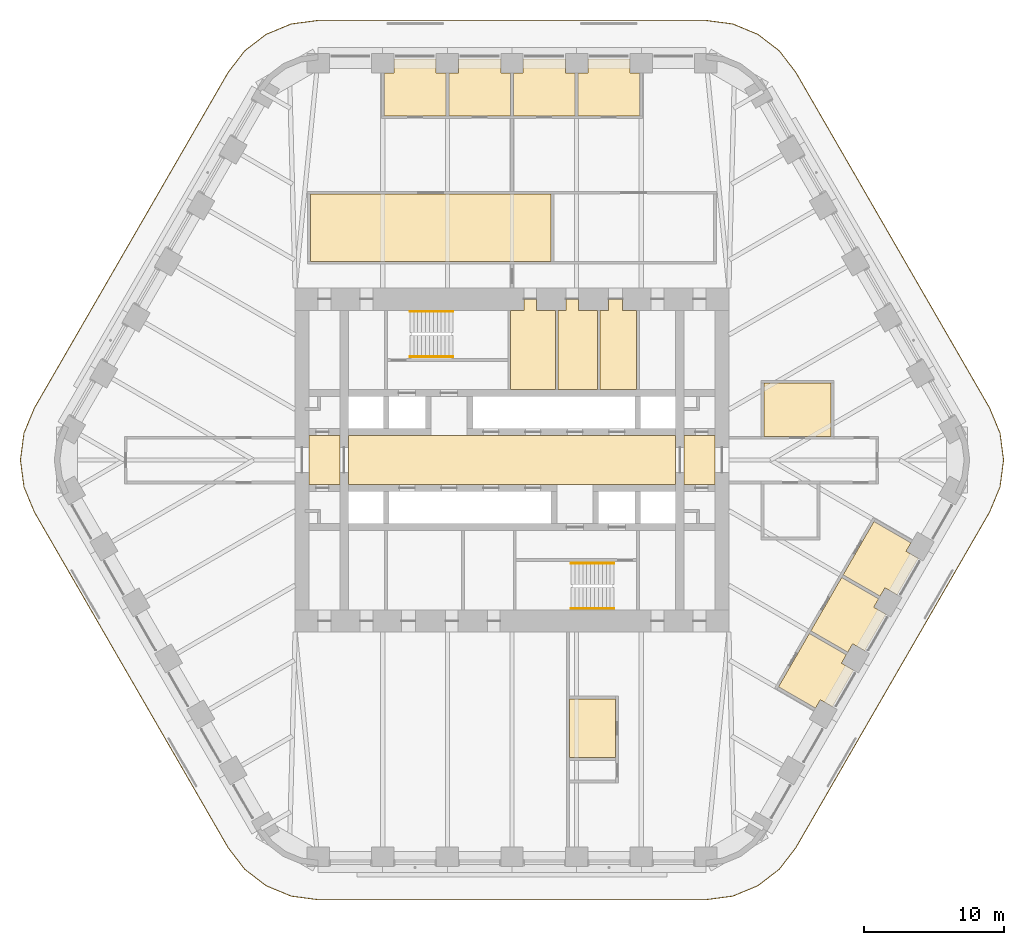
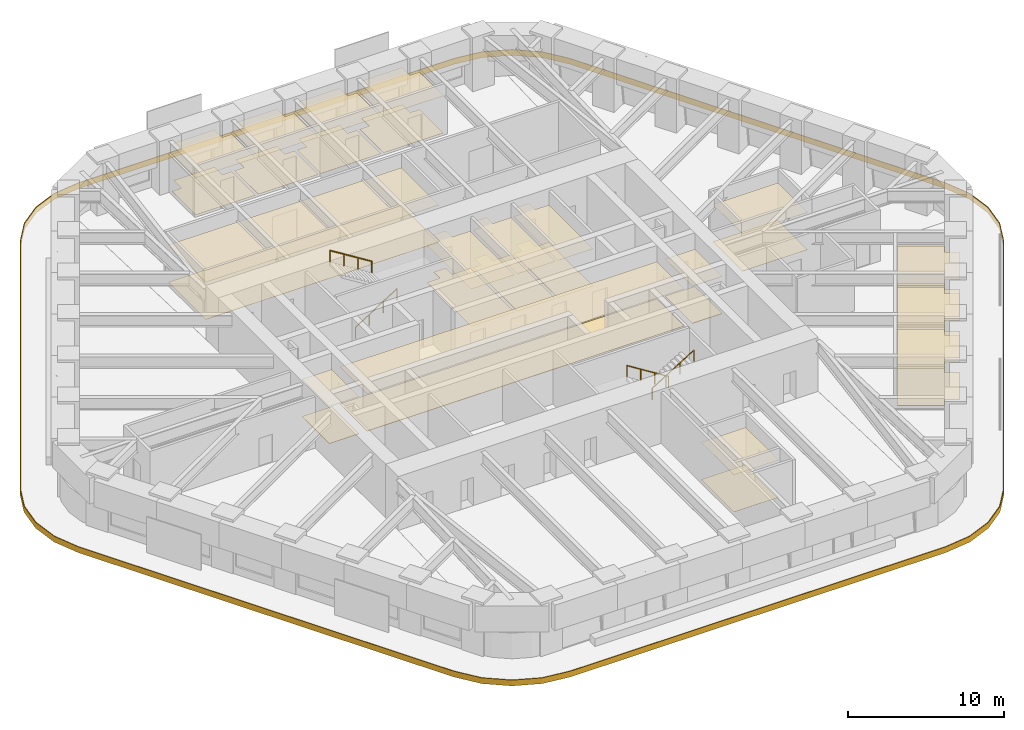
# One storey, part 19 of 20: 15 coverings, 4 railings.
"""IFC4 building model written with IfcOpenShell, lengths in metres."""

from ifc_helpers import new_model, si_unit, direction, frame, origin, origin_2d, place, context, subcontext, project, spatial, polyline, circle, outline, extrude, material, layer, layer_set, type_object, element, save


model = new_model("IFC4")

# Units and contexts
model_context = context("Model", 3, precision=1e-05, world=origin(), true_north=direction((0.0, 1.0)))
body_context = subcontext(model_context, "Body", "Model", "MODEL_VIEW")
ifc_project = project(units=[si_unit("LENGTHUNIT", "METRE"), si_unit("AREAUNIT", "SQUARE_METRE"), si_unit("VOLUMEUNIT", "CUBIC_METRE"), si_unit("PLANEANGLEUNIT", "RADIAN"), si_unit("MASSUNIT", "GRAM", prefix="KILO")], contexts=[model_context])

# Site, building, storey
site_placement = place(None, origin())
site = spatial("IfcSite", under=ifc_project, at=site_placement, CompositionType="ELEMENT")
building_placement = place(site_placement, origin())
building = spatial("IfcBuilding", under=site, at=building_placement, Name="Tarfa Lantern Tower", CompositionType="ELEMENT")
storey_placement = place(building_placement, frame((0.0, 0.0, 223.89990234375)))
storey = spatial("IfcBuildingStorey", under=building, at=storey_placement, Name="L50", CompositionType="ELEMENT", Elevation=223.89990234375)

# Coverings
ifc_material_1 = material(Name="Mineral fibre acoustic tile on suspension grid", Category="finish")
ifc_layer_1 = layer(ifc_material_1, 0.02001953125)
ifc_layer_set_1 = layer_set([ifc_layer_1], Name="CL1 ACOUSTIC TILE CEILING 20")
covering_type_1 = type_object("IfcCoveringType", Name="CL1 ACOUSTIC TILE CEILING 20", PredefinedType="CEILING", material=ifc_layer_set_1)
covering_1_placement = place(storey_placement, frame((0.0, 0.0, 2.900146484375)))
element("IfcCovering", 1, at=covering_1_placement, inside=storey, type_object=covering_type_1, Name="Ceiling L50 CL1", PredefinedType="CEILING", context=body_context, shape_type="SweptSolid", body=[
    extrude(outline(polyline([(-14.39990234375, 19.0), (2.800048828125, 19.0), (2.800048828125, 14.199951171875), (-14.39990234375, 14.199951171875), (-14.39990234375, 19.0)])), origin(), (0.0, 0.0, 1.0), 0.02001953125),
    extrude(outline(polyline([(9.1376953125, 24.60009765625), (4.71875, 24.60009765625), (4.71875, 27.64990234375), (5.418701171875, 27.64990234375), (5.418701171875, 28.64990234375), (8.4375, 28.64990234375), (8.4375, 27.64990234375), (9.1376953125, 27.64990234375), (9.1376953125, 24.60009765625)])), origin(), (0.0, 0.0, 1.0), 0.02001953125),
    extrude(outline(polyline([(4.518798828125, 24.60009765625), (0.10009765625, 24.60009765625), (0.10009765625, 27.64990234375), (0.800048828125, 27.64990234375), (0.800048828125, 28.64990234375), (3.81884765625, 28.64990234375), (3.81884765625, 27.64990234375), (4.518798828125, 27.64990234375), (4.518798828125, 24.60009765625)])), origin(), (0.0, 0.0, 1.0), 0.02001953125),
    extrude(outline(polyline([(-0.10009765625, 24.60009765625), (-4.518798828125, 24.60009765625), (-4.518798828125, 27.64990234375), (-3.81884765625, 27.64990234375), (-3.81884765625, 28.64990234375), (-0.800048828125, 28.64990234375), (-0.800048828125, 27.64990234375), (-0.10009765625, 27.64990234375), (-0.10009765625, 24.60009765625)])), origin(), (0.0, 0.0, 1.0), 0.02001953125),
    extrude(outline(polyline([(-4.71875, 24.60009765625), (-9.1376953125, 24.60009765625), (-9.1376953125, 27.64990234375), (-8.4375, 27.64990234375), (-8.4375, 28.64990234375), (-5.418701171875, 28.64990234375), (-5.418701171875, 27.64990234375), (-4.71875, 27.64990234375), (-4.71875, 24.60009765625)])), origin(), (0.0, 0.0, 1.0), 0.02001953125),
    extrude(outline(polyline([(21.254150390625, -12.38671875), (23.8955078125, -13.91162109375), (23.545654296875, -14.517822265625), (24.41162109375, -15.017822265625), (22.90234375, -17.632080078125), (22.0361328125, -17.132080078125), (21.686279296875, -17.73828125), (19.044921875, -16.21337890625), (21.254150390625, -12.38671875)])), origin(), (0.0, 0.0, 1.0), 0.02001953125),
    extrude(outline(polyline([(23.563720703125, -8.38671875), (26.205078125, -9.91162109375), (25.85498046875, -10.517822265625), (26.720947265625, -11.017822265625), (25.211669921875, -13.632080078125), (24.345703125, -13.132080078125), (23.99560546875, -13.73828125), (21.354248046875, -12.21337890625), (23.563720703125, -8.38671875)])), origin(), (0.0, 0.0, 1.0), 0.02001953125),
    extrude(outline(polyline([(25.873046875, -4.38671875), (28.514404296875, -5.91162109375), (28.164306640625, -6.517822265625), (29.030517578125, -7.017822265625), (27.52099609375, -9.632080078125), (26.655029296875, -9.132080078125), (26.304931640625, -9.73828125), (23.66357421875, -8.21337890625), (25.873046875, -4.38671875)])), origin(), (0.0, 0.0, 1.0), 0.02001953125),
    extrude(outline(polyline([(18.0, 5.5), (22.800048828125, 5.5), (22.800048828125, 1.699951171875), (18.0, 1.699951171875), (18.0, 5.5)])), origin(), (0.0, 0.0, 1.0), 0.02001953125),
    extrude(outline(polyline([(7.39990234375, -21.27490234375), (4.10009765625, -21.27490234375), (4.10009765625, -17.074951171875), (7.39990234375, -17.074951171875), (7.39990234375, -21.27490234375)])), origin(), (0.0, 0.0, 1.0), 0.02001953125),
])
ifc_material_2 = material(Name="Moisture-resistant plasterboard", Category="finish")
ifc_layer_2 = layer(ifc_material_2, 0.014892578125)
ifc_layer_set_2 = layer_set([ifc_layer_2], Name="CL2 MOISTURE-RESISTANT PLASTERBOARD CEILING 15")
covering_type_2 = type_object("IfcCoveringType", Name="CL2 MOISTURE-RESISTANT PLASTERBOARD CEILING 15", PredefinedType="CEILING", material=ifc_layer_set_2)
covering_2_placement = place(storey_placement, frame((0.0, 0.0, 2.900146484375)))
element("IfcCovering", 2, at=covering_2_placement, inside=storey, type_object=covering_type_2, Name="Ceiling L50-07", PredefinedType="CEILING", context=body_context, shape_type="SweptSolid", body=[
    extrude(outline(polyline([(0.85009765625, 10.699951171875), (-0.10009765625, 10.699951171875), (-0.10009765625, 5.050048828125), (3.10009765625, 5.050048828125), (3.10009765625, 10.699951171875), (1.75, 10.699951171875), (1.75, 11.5), (0.85009765625, 11.5), (0.85009765625, 10.699951171875)])), origin(), (0.0, 0.0, 1.0), 0.014892578125),
])
covering_3_placement = place(storey_placement, frame((0.0, 0.0, 2.900146484375)))
element("IfcCovering", 3, at=covering_3_placement, inside=storey, type_object=covering_type_2, Name="Ceiling L50-08", PredefinedType="CEILING", context=body_context, shape_type="SweptSolid", body=[
    extrude(outline(polyline([(3.300048828125, 5.050048828125), (6.10009765625, 5.050048828125), (6.10009765625, 10.699951171875), (4.75, 10.699951171875), (4.75, 11.5), (3.85009765625, 11.5), (3.85009765625, 10.699951171875), (3.300048828125, 10.699951171875), (3.300048828125, 5.050048828125)])), origin(), (0.0, 0.0, 1.0), 0.014892578125),
])
covering_4_placement = place(storey_placement, frame((0.0, 0.0, 2.900146484375)))
element("IfcCovering", 4, at=covering_4_placement, inside=storey, type_object=covering_type_2, Name="Ceiling L50-09", PredefinedType="CEILING", context=body_context, shape_type="SweptSolid", body=[
    extrude(outline(polyline([(6.300048828125, 5.050048828125), (8.89990234375, 5.050048828125), (8.89990234375, 10.699951171875), (7.89990234375, 10.699951171875), (7.89990234375, 11.5), (6.89990234375, 11.5), (6.89990234375, 10.699951171875), (6.300048828125, 10.699951171875), (6.300048828125, 5.050048828125)])), origin(), (0.0, 0.0, 1.0), 0.014892578125),
])
ifc_material_3 = material(Name="Powder-coated aluminium panel", Category="aluminium")
ifc_layer_3 = layer(ifc_material_3, 0.030029296875)
ifc_layer_set_3 = layer_set([ifc_layer_3], Name="CL3 METAL PANEL CEILING 30")
covering_type_3 = type_object("IfcCoveringType", Name="CL3 METAL PANEL CEILING 30", PredefinedType="CEILING", material=ifc_layer_set_3)
covering_5_placement = place(storey_placement, frame((0.0, 0.0, 2.900146484375)))
element("IfcCovering", 5, at=covering_5_placement, inside=storey, type_object=covering_type_3, Name="Ceiling L50-01", PredefinedType="CEILING", context=body_context, shape_type="SweptSolid", body=[
    extrude(outline(polyline([(-14.5, -1.75), (-12.300048828125, -1.75), (-12.300048828125, 1.75), (-14.5, 1.75), (-14.5, -1.75)])), origin(), (0.0, 0.0, 1.0), 0.030029296875),
])
covering_6_placement = place(storey_placement, frame((0.0, 0.0, 2.900146484375)))
element("IfcCovering", 6, at=covering_6_placement, inside=storey, type_object=covering_type_3, Name="Ceiling L50-02", PredefinedType="CEILING", context=body_context, shape_type="SweptSolid", body=[
    extrude(outline(polyline([(-11.699951171875, -1.75), (11.699951171875, -1.75), (11.699951171875, 1.75), (-11.699951171875, 1.75), (-11.699951171875, -1.75)])), origin(), (0.0, 0.0, 1.0), 0.030029296875),
])
covering_7_placement = place(storey_placement, frame((0.0, 0.0, 2.900146484375)))
element("IfcCovering", 7, at=covering_7_placement, inside=storey, type_object=covering_type_3, Name="Ceiling L50-03", PredefinedType="CEILING", context=body_context, shape_type="SweptSolid", body=[
    extrude(outline(polyline([(12.300048828125, -1.75), (14.5, -1.75), (14.5, 1.75), (12.300048828125, 1.75), (12.300048828125, -1.75)])), origin(), (0.0, 0.0, 1.0), 0.030029296875),
])
ifc_material_4 = material(Name="Nylon carpet tile", Category="finish")
ifc_layer_4 = layer(ifc_material_4, 0.010009765625)
ifc_layer_set_4 = layer_set([ifc_layer_4], Name="FL1 CARPET TILE 10")
covering_type_4 = type_object("IfcCoveringType", Name="FL1 CARPET TILE 10", PredefinedType="FLOORING", material=ifc_layer_set_4)
covering_8_placement = place(storey_placement, origin())
element("IfcCovering", 8, at=covering_8_placement, inside=storey, type_object=covering_type_4, Name="Floor finish L50 FL1", PredefinedType="FLOORING", context=body_context, shape_type="SweptSolid", body=[
    extrude(outline(polyline([(-14.39990234375, 19.0), (2.800048828125, 19.0), (2.800048828125, 14.199951171875), (-14.39990234375, 14.199951171875), (-14.39990234375, 19.0)])), origin(), (0.0, 0.0, 1.0), 0.010009765625),
    extrude(outline(polyline([(9.1376953125, 24.60009765625), (4.71875, 24.60009765625), (4.71875, 27.64990234375), (5.418701171875, 27.64990234375), (5.418701171875, 28.64990234375), (8.4375, 28.64990234375), (8.4375, 27.64990234375), (9.1376953125, 27.64990234375), (9.1376953125, 24.60009765625)])), origin(), (0.0, 0.0, 1.0), 0.010009765625),
    extrude(outline(polyline([(4.518798828125, 24.60009765625), (0.10009765625, 24.60009765625), (0.10009765625, 27.64990234375), (0.800048828125, 27.64990234375), (0.800048828125, 28.64990234375), (3.81884765625, 28.64990234375), (3.81884765625, 27.64990234375), (4.518798828125, 27.64990234375), (4.518798828125, 24.60009765625)])), origin(), (0.0, 0.0, 1.0), 0.010009765625),
    extrude(outline(polyline([(-0.10009765625, 24.60009765625), (-4.518798828125, 24.60009765625), (-4.518798828125, 27.64990234375), (-3.81884765625, 27.64990234375), (-3.81884765625, 28.64990234375), (-0.800048828125, 28.64990234375), (-0.800048828125, 27.64990234375), (-0.10009765625, 27.64990234375), (-0.10009765625, 24.60009765625)])), origin(), (0.0, 0.0, 1.0), 0.010009765625),
    extrude(outline(polyline([(-4.71875, 24.60009765625), (-9.1376953125, 24.60009765625), (-9.1376953125, 27.64990234375), (-8.4375, 27.64990234375), (-8.4375, 28.64990234375), (-5.418701171875, 28.64990234375), (-5.418701171875, 27.64990234375), (-4.71875, 27.64990234375), (-4.71875, 24.60009765625)])), origin(), (0.0, 0.0, 1.0), 0.010009765625),
    extrude(outline(polyline([(21.254150390625, -12.38671875), (23.8955078125, -13.91162109375), (23.545654296875, -14.517822265625), (24.41162109375, -15.017822265625), (22.90234375, -17.632080078125), (22.0361328125, -17.132080078125), (21.686279296875, -17.73828125), (19.044921875, -16.21337890625), (21.254150390625, -12.38671875)])), origin(), (0.0, 0.0, 1.0), 0.010009765625),
    extrude(outline(polyline([(23.563720703125, -8.38671875), (26.205078125, -9.91162109375), (25.85498046875, -10.517822265625), (26.720947265625, -11.017822265625), (25.211669921875, -13.632080078125), (24.345703125, -13.132080078125), (23.99560546875, -13.73828125), (21.354248046875, -12.21337890625), (23.563720703125, -8.38671875)])), origin(), (0.0, 0.0, 1.0), 0.010009765625),
    extrude(outline(polyline([(25.873046875, -4.38671875), (28.514404296875, -5.91162109375), (28.164306640625, -6.517822265625), (29.030517578125, -7.017822265625), (27.52099609375, -9.632080078125), (26.655029296875, -9.132080078125), (26.304931640625, -9.73828125), (23.66357421875, -8.21337890625), (25.873046875, -4.38671875)])), origin(), (0.0, 0.0, 1.0), 0.010009765625),
    extrude(outline(polyline([(18.0, 5.5), (22.800048828125, 5.5), (22.800048828125, 1.699951171875), (18.0, 1.699951171875), (18.0, 5.5)])), origin(), (0.0, 0.0, 1.0), 0.010009765625),
    extrude(outline(polyline([(7.39990234375, -21.27490234375), (4.10009765625, -21.27490234375), (4.10009765625, -17.074951171875), (7.39990234375, -17.074951171875), (7.39990234375, -21.27490234375)])), origin(), (0.0, 0.0, 1.0), 0.010009765625),
])
ifc_material_5 = material(Name="Honed limestone flooring", Category="masonry")
ifc_layer_5 = layer(ifc_material_5, 0.030029296875)
ifc_layer_set_5 = layer_set([ifc_layer_5], Name="FL2 STONE FLOORING 30")
covering_type_5 = type_object("IfcCoveringType", Name="FL2 STONE FLOORING 30", PredefinedType="FLOORING", material=ifc_layer_set_5)
covering_9_placement = place(storey_placement, origin())
element("IfcCovering", 9, at=covering_9_placement, inside=storey, type_object=covering_type_5, Name="Floor finish L50-01", PredefinedType="FLOORING", context=body_context, shape_type="SweptSolid", body=[
    extrude(outline(polyline([(-14.5, -1.75), (-12.300048828125, -1.75), (-12.300048828125, 1.75), (-14.5, 1.75), (-14.5, -1.75)])), origin(), (0.0, 0.0, 1.0), 0.030029296875),
])
covering_10_placement = place(storey_placement, origin())
element("IfcCovering", 10, at=covering_10_placement, inside=storey, type_object=covering_type_5, Name="Floor finish L50-02", PredefinedType="FLOORING", context=body_context, shape_type="SweptSolid", body=[
    extrude(outline(polyline([(-11.699951171875, -1.75), (11.699951171875, -1.75), (11.699951171875, 1.75), (-11.699951171875, 1.75), (-11.699951171875, -1.75)])), origin(), (0.0, 0.0, 1.0), 0.030029296875),
])
covering_11_placement = place(storey_placement, origin())
element("IfcCovering", 11, at=covering_11_placement, inside=storey, type_object=covering_type_5, Name="Floor finish L50-03", PredefinedType="FLOORING", context=body_context, shape_type="SweptSolid", body=[
    extrude(outline(polyline([(12.300048828125, -1.75), (14.5, -1.75), (14.5, 1.75), (12.300048828125, 1.75), (12.300048828125, -1.75)])), origin(), (0.0, 0.0, 1.0), 0.030029296875),
])
ifc_material_6 = material(Name="Porcelain floor tile", Category="finish")
ifc_layer_6 = layer(ifc_material_6, 0.011962890625)
ifc_layer_set_6 = layer_set([ifc_layer_6], Name="FL3 CERAMIC TILE 12")
covering_type_6 = type_object("IfcCoveringType", Name="FL3 CERAMIC TILE 12", PredefinedType="FLOORING", material=ifc_layer_set_6)
covering_12_placement = place(storey_placement, origin())
element("IfcCovering", 12, at=covering_12_placement, inside=storey, type_object=covering_type_6, Name="Floor finish L50-07", PredefinedType="FLOORING", context=body_context, shape_type="SweptSolid", body=[
    extrude(outline(polyline([(0.85009765625, 10.699951171875), (-0.10009765625, 10.699951171875), (-0.10009765625, 5.050048828125), (3.10009765625, 5.050048828125), (3.10009765625, 10.699951171875), (1.75, 10.699951171875), (1.75, 11.5), (0.85009765625, 11.5), (0.85009765625, 10.699951171875)])), origin(), (0.0, 0.0, 1.0), 0.01220703125),
])
covering_13_placement = place(storey_placement, origin())
element("IfcCovering", 13, at=covering_13_placement, inside=storey, type_object=covering_type_6, Name="Floor finish L50-08", PredefinedType="FLOORING", context=body_context, shape_type="SweptSolid", body=[
    extrude(outline(polyline([(3.300048828125, 5.050048828125), (6.10009765625, 5.050048828125), (6.10009765625, 10.699951171875), (4.75, 10.699951171875), (4.75, 11.5), (3.85009765625, 11.5), (3.85009765625, 10.699951171875), (3.300048828125, 10.699951171875), (3.300048828125, 5.050048828125)])), origin(), (0.0, 0.0, 1.0), 0.01220703125),
])
covering_14_placement = place(storey_placement, origin())
element("IfcCovering", 14, at=covering_14_placement, inside=storey, type_object=covering_type_6, Name="Floor finish L50-09", PredefinedType="FLOORING", context=body_context, shape_type="SweptSolid", body=[
    extrude(outline(polyline([(6.300048828125, 5.050048828125), (8.89990234375, 5.050048828125), (8.89990234375, 10.699951171875), (7.89990234375, 10.699951171875), (7.89990234375, 11.5), (6.89990234375, 11.5), (6.89990234375, 10.699951171875), (6.300048828125, 10.699951171875), (6.300048828125, 5.050048828125)])), origin(), (0.0, 0.0, 1.0), 0.01220703125),
])

# Railings
ifc_material_7 = material(Name="Stainless steel", Category="steel")
railing_type = type_object("IfcRailingType", Name="HR1 HANDRAIL 900", PredefinedType="HANDRAIL", material=ifc_material_7)
railing_1_placement = place(storey_placement, frame((-7.300048828125, 7.3798828125, 0.175048828125)))
element("IfcRailing", 15, at=railing_1_placement, inside=storey, type_object=railing_type, Name="Handrail 1", PredefinedType="HANDRAIL", context=body_context, shape_type="SweptSolid", body=[
    extrude(circle(Radius=0.02392578125, at=origin_2d()), frame((0.0, 0.0, 0.8759765625), z_axis=(0.847998304005, 0.0, 0.529998940003), x_axis=(0.0, 1.0, 0.0)), (0.0, 0.0, 1.0), 3.632080078125),
    extrude(circle(Radius=0.02099609375, at=origin_2d()), frame((0.0, 0.0, 0.0), z_axis=(0.0, 0.0, 1.0), x_axis=(0.0, 1.0, 0.0)), (0.0, 0.0, 1.0), 0.851806640625),
    extrude(circle(Radius=0.02099609375, at=origin_2d()), frame((1.026611328125, 0.0, 0.6416015625), z_axis=(0.0, 0.0, 1.0), x_axis=(0.0, 1.0, 0.0)), (0.0, 0.0, 1.0), 0.851806640625),
    extrude(circle(Radius=0.02099609375, at=origin_2d()), frame((2.053466796875, 0.0, 1.283447265625), z_axis=(0.0, 0.0, 1.0), x_axis=(0.0, 1.0, 0.0)), (0.0, 0.0, 1.0), 0.851806640625),
    extrude(circle(Radius=0.02099609375, at=origin_2d()), frame((3.080078125, 0.0, 1.925048828125), z_axis=(0.0, 0.0, 1.0), x_axis=(0.0, 1.0, 0.0)), (0.0, 0.0, 1.0), 0.851806640625),
])
for number, where, name in (
    (16, (-4.219970703125, 10.6201171875, 2.275146484375), "Handrail 2"),
    (17, (7.300048828125, -7.3798828125, 0.175048828125), "Handrail 1"),
):
    element("IfcRailing", number, at=place(storey_placement, frame(where)), inside=storey, type_object=railing_type, Name=name, PredefinedType="HANDRAIL", context=body_context, shape_type="SweptSolid", body=[
        extrude(circle(Radius=0.02392578125, at=origin_2d()), frame((0.0, 0.0, 0.8759765625), z_axis=(-0.847998304005, 0.0, 0.529998940003), x_axis=(0.0, -1.0, 0.0)), (0.0, 0.0, 1.0), 3.632080078125),
        extrude(circle(Radius=0.02099609375, at=origin_2d()), frame((0.0, 0.0, 0.0), z_axis=(0.0, 0.0, 1.0), x_axis=(0.0, -1.0, 0.0)), (0.0, 0.0, 1.0), 0.851806640625),
        extrude(circle(Radius=0.02099609375, at=origin_2d()), frame((-1.026611328125, 0.0, 0.6416015625), z_axis=(0.0, 0.0, 1.0), x_axis=(0.0, -1.0, 0.0)), (0.0, 0.0, 1.0), 0.851806640625),
        extrude(circle(Radius=0.02099609375, at=origin_2d()), frame((-2.053466796875, 0.0, 1.283447265625), z_axis=(0.0, 0.0, 1.0), x_axis=(0.0, -1.0, 0.0)), (0.0, 0.0, 1.0), 0.851806640625),
        extrude(circle(Radius=0.02099609375, at=origin_2d()), frame((-3.080078125, 0.0, 1.925048828125), z_axis=(0.0, 0.0, 1.0), x_axis=(0.0, -1.0, 0.0)), (0.0, 0.0, 1.0), 0.851806640625),
    ])
railing_2_placement = place(storey_placement, frame((4.219970703125, -10.6201171875, 2.275146484375)))
element("IfcRailing", 18, at=railing_2_placement, inside=storey, type_object=railing_type, Name="Handrail 2", PredefinedType="HANDRAIL", context=body_context, shape_type="SweptSolid", body=[
    extrude(circle(Radius=0.02392578125, at=origin_2d()), frame((0.0, 0.0, 0.8759765625), z_axis=(0.847998304005, 0.0, 0.529998940003), x_axis=(0.0, 1.0, 0.0)), (0.0, 0.0, 1.0), 3.632080078125),
    extrude(circle(Radius=0.02099609375, at=origin_2d()), frame((0.0, 0.0, 0.0), z_axis=(0.0, 0.0, 1.0), x_axis=(0.0, 1.0, 0.0)), (0.0, 0.0, 1.0), 0.851806640625),
    extrude(circle(Radius=0.02099609375, at=origin_2d()), frame((1.026611328125, 0.0, 0.6416015625), z_axis=(0.0, 0.0, 1.0), x_axis=(0.0, 1.0, 0.0)), (0.0, 0.0, 1.0), 0.851806640625),
    extrude(circle(Radius=0.02099609375, at=origin_2d()), frame((2.053466796875, 0.0, 1.283447265625), z_axis=(0.0, 0.0, 1.0), x_axis=(0.0, 1.0, 0.0)), (0.0, 0.0, 1.0), 0.851806640625),
    extrude(circle(Radius=0.02099609375, at=origin_2d()), frame((3.080078125, 0.0, 1.925048828125), z_axis=(0.0, 0.0, 1.0), x_axis=(0.0, 1.0, 0.0)), (0.0, 0.0, 1.0), 0.851806640625),
])

# Covering
ifc_material_8 = material(Name="Limestone cladding on brackets", Category="masonry")
ifc_layer_7 = layer(ifc_material_8, 0.050048828125)
ifc_layer_set_7 = layer_set([ifc_layer_7], Name="SB1 STONE BAND CLADDING 50")
covering_type_7 = type_object("IfcCoveringType", Name="SB1 STONE BAND CLADDING 50", PredefinedType="CLADDING", material=ifc_layer_set_7)
covering_15_placement = place(storey_placement, frame((0.0, 0.0, -0.39990234375)))
element("IfcCovering", 19, at=covering_15_placement, inside=storey, type_object=covering_type_7, Name="Stone band", PredefinedType="CLADDING", context=body_context, shape_type="SweptSolid", body=[
    extrude(outline(polyline([(34.164794921875, 3.72509765625), (20.308349609375, 27.72509765625), (19.124267578125, 29.26806640625), (17.581298828125, 30.451904296875), (15.78466796875, 31.196044921875), (13.8564453125, 31.449951171875), (-13.8564453125, 31.449951171875), (-15.78466796875, 31.196044921875), (-17.581298828125, 30.451904296875), (-19.124267578125, 29.26806640625), (-20.308349609375, 27.72509765625), (-34.164794921875, 3.72509765625), (-34.908935546875, 1.92822265625), (-35.162841796875, 0.0), (-34.908935546875, -1.92822265625), (-34.164794921875, -3.72509765625), (-20.308349609375, -27.72509765625), (-19.124267578125, -29.26806640625), (-17.581298828125, -30.451904296875), (-15.78466796875, -31.196044921875), (-13.8564453125, -31.449951171875), (13.8564453125, -31.449951171875), (15.78466796875, -31.196044921875), (17.581298828125, -30.451904296875), (19.124267578125, -29.26806640625), (20.308349609375, -27.72509765625), (34.164794921875, -3.72509765625), (34.908935546875, -1.92822265625), (35.162841796875, 0.0), (34.908935546875, 1.92822265625), (34.164794921875, 3.72509765625)]), holes=[polyline([(34.121337890625, 3.699951171875), (20.264892578125, 27.699951171875), (19.089111328125, 29.232666015625), (17.556396484375, 30.40869140625), (15.771728515625, 31.14794921875), (13.8564453125, 31.39990234375), (-13.8564453125, 31.39990234375), (-15.771728515625, 31.14794921875), (-17.556396484375, 30.40869140625), (-19.089111328125, 29.232666015625), (-20.264892578125, 27.699951171875), (-34.121337890625, 3.699951171875), (-34.860595703125, 1.915283203125), (-35.11279296875, 0.0), (-34.860595703125, -1.915283203125), (-34.121337890625, -3.699951171875), (-20.264892578125, -27.699951171875), (-19.089111328125, -29.232666015625), (-17.556396484375, -30.40869140625), (-15.771728515625, -31.14794921875), (-13.8564453125, -31.39990234375), (13.8564453125, -31.39990234375), (15.771728515625, -31.14794921875), (17.556396484375, -30.40869140625), (19.089111328125, -29.232666015625), (20.264892578125, -27.699951171875), (34.121337890625, -3.699951171875), (34.860595703125, -1.915283203125), (35.11279296875, 0.0), (34.860595703125, 1.915283203125), (34.121337890625, 3.699951171875)])]), origin(), (0.0, 0.0, 1.0), 0.449951171875),
])

save(model, "model.ifc")
